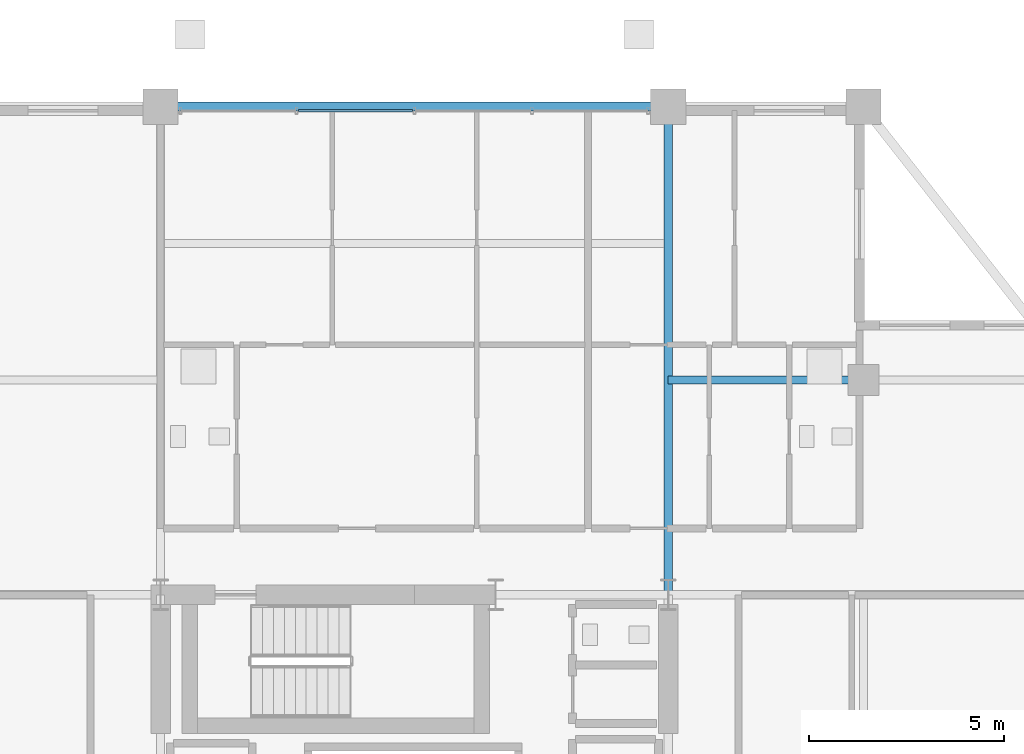
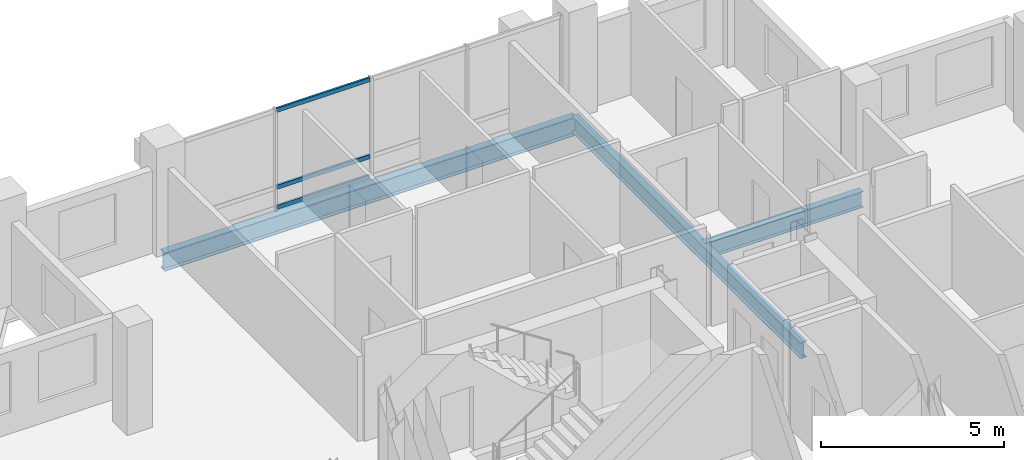
# One storey, part 13 of 21: 3 beams, 3 members, 1 element without a shape of its own.
"""IFC4 building model written with IfcOpenShell, lengths in metres."""

from ifc_helpers import new_model, si_unit, direction, frame, origin, origin_2d, place, context, subcontext, project, spatial, hollow_rectangle, i_section, extrude, material, layer, layer_set, material_profile, profile_set, type_object, element, aggregate, save


model = new_model("IFC4")

# Units and contexts
model_context = context("Model", 3, precision=1e-05, world=origin(), true_north=direction((0.0, 1.0)))
body_context = subcontext(model_context, "Body", "Model", "MODEL_VIEW")
ifc_project = project(units=[si_unit("LENGTHUNIT", "METRE"), si_unit("AREAUNIT", "SQUARE_METRE"), si_unit("VOLUMEUNIT", "CUBIC_METRE"), si_unit("PLANEANGLEUNIT", "RADIAN"), si_unit("MASSUNIT", "GRAM", prefix="KILO")], contexts=[model_context])

# Site, building, storey
site_placement = place(None, origin())
site = spatial("IfcSite", under=ifc_project, at=site_placement, CompositionType="ELEMENT")
building_placement = place(site_placement, origin())
building = spatial("IfcBuilding", under=site, at=building_placement, Name="Barlavira Tower and Art Museum", CompositionType="ELEMENT")
storey_placement = place(building_placement, frame((0.0, 0.0, 254.699951171875)))
storey = spatial("IfcBuildingStorey", under=building, at=storey_placement, Name="L66", CompositionType="ELEMENT", Elevation=254.699951171875)

# Curtain wall, members
ifc_material_1 = material(Name="Low-iron coastal laminated glass", Category="glass")
ifc_layer = layer(ifc_material_1, 0.2099609375, Name="Low-iron coastal laminated glass")
ifc_layer_set = layer_set([ifc_layer], Name="Low-iron coastal laminated glass")
curtain_wall_type = type_object("IfcCurtainWallType", Name="Pale-Metal Unitised Curtain Wall Zone 4", PredefinedType="NOTDEFINED", material=ifc_layer_set)
curtain_wall_placement = place(storey_placement, origin())
curtain_wall = element("IfcCurtainWall", 1, at=curtain_wall_placement, inside=storey, type_object=curtain_wall_type, Name="L66 Curtain Wall CW4-L66-N-B2", PredefinedType="NOTDEFINED")
ifc_material_2 = material(Name="Pale anodised aluminium", Category="aluminium")
ifc_material_profile_1 = material_profile(ifc_material_2, hollow_rectangle(XDim=0.06494140625, YDim=0.139892578125, WallThickness=0.00390625, at=origin_2d()), Name="ALU-TRAN 65x140x4")
ifc_profile_set_1 = profile_set([ifc_material_profile_1], Name="Pale anodised aluminium")
member_type = type_object("IfcMemberType", Name="Curtain Wall Pale-Metal Transom 65x140", PredefinedType="USERDEFINED", material=ifc_profile_set_1)
member_1_placement = place(storey_placement, frame((-0.044921875, 19.89990234375, 0.070068359375), z_axis=(-1.0, 0.0, 0.0), x_axis=(0.0, -1.0, 0.0)))
member_1 = element("IfcMember", 2, at=member_1_placement, type_object=member_type, Name="CW4-L66-N-B2 Transom 2.1", ObjectType="TRANSOM", PredefinedType="USERDEFINED", context=body_context, shape_type="SweptSolid", body=[
    extrude(hollow_rectangle(XDim=0.06494140625, YDim=0.139892578125, WallThickness=0.00390625, at=origin_2d()), origin(), (0.0, 0.0, 1.0), 2.925048828125),
])
member_2_placement = place(storey_placement, frame((-0.044921875, 19.89990234375, 0.744140625), z_axis=(-1.0, 0.0, 0.0), x_axis=(0.0, -1.0, 0.0)))
member_2 = element("IfcMember", 3, at=member_2_placement, type_object=member_type, Name="CW4-L66-N-B2 Transom 2.2", ObjectType="TRANSOM", PredefinedType="USERDEFINED", context=body_context, shape_type="SweptSolid", body=[
    extrude(hollow_rectangle(XDim=0.06494140625, YDim=0.139892578125, WallThickness=0.00390625, at=origin_2d()), origin(), (0.0, 0.0, 1.0), 2.925048828125),
])
member_3_placement = place(storey_placement, frame((-0.044921875, 19.89990234375, 3.31005859375), z_axis=(-1.0, 0.0, 0.0), x_axis=(0.0, -1.0, 0.0)))
member_3 = element("IfcMember", 4, at=member_3_placement, type_object=member_type, Name="CW4-L66-N-B2 Transom 2.3", ObjectType="TRANSOM", PredefinedType="USERDEFINED", context=body_context, shape_type="SweptSolid", body=[
    extrude(hollow_rectangle(XDim=0.06494140625, YDim=0.139892578125, WallThickness=0.00390625, at=origin_2d()), origin(), (0.0, 0.0, 1.0), 2.925048828125),
])
aggregate(curtain_wall, [member_1, member_2, member_3])

# Beams
ifc_material_3 = material(Name="Steel S355", Category="steel")
ifc_material_profile_2 = material_profile(ifc_material_3, i_section(OverallWidth=0.22998046875, OverallDepth=0.616943359375, WebThickness=0.01318359375, FlangeThickness=0.022216796875, at=origin_2d()), Name="W610x140.0")
ifc_profile_set_2 = profile_set([ifc_material_profile_2], Name="Steel S355")
beam_type_1 = type_object("IfcBeamType", Name="Upper Shaft Spandrel Edge Beam W610x140 Steel S355", PredefinedType="SPANDREL", material=ifc_profile_set_2)
beam_1_placement = place(storey_placement, frame((-6.5, 20.0, -0.528564453125), z_axis=(1.0, 0.0, 0.0), x_axis=(0.0, 1.0, 0.0)))
element("IfcBeam", 5, at=beam_1_placement, inside=storey, type_object=beam_type_1, Name="L66 Spandrel 10", PredefinedType="SPANDREL", context=body_context, shape_type="SweptSolid", body=[
    extrude(i_section(OverallWidth=0.22998046875, OverallDepth=0.616943359375, WebThickness=0.01318359375, FlangeThickness=0.022216796875, at=origin_2d()), origin(), (0.0, 0.0, 1.0), 13.0),
])
ifc_material_profile_3 = material_profile(ifc_material_3, i_section(OverallWidth=0.2109375, OverallDepth=0.5390625, WebThickness=0.01171875, FlangeThickness=0.018798828125, at=origin_2d()), Name="W530x109.0")
ifc_profile_set_3 = profile_set([ifc_material_profile_3], Name="Steel S355")
beam_type_2 = type_object("IfcBeamType", Name="Zone 3-4 Primary Floor Girder W530x109 Steel S355", PredefinedType="BEAM", material=ifc_profile_set_3)
beam_2_placement = place(storey_placement, frame((6.5, 7.5, -0.489501953125), z_axis=(0.0, 1.0, 0.0), x_axis=(-1.0, 0.0, 0.0)))
element("IfcBeam", 6, at=beam_2_placement, inside=storey, type_object=beam_type_2, Name="L66 Girder R-N2", PredefinedType="BEAM", context=body_context, shape_type="SweptSolid", body=[
    extrude(i_section(OverallWidth=0.2109375, OverallDepth=0.5390625, WebThickness=0.01171875, FlangeThickness=0.018798828125, at=origin_2d()), origin(), (0.0, 0.0, 1.0), 12.5),
])
beam_3_placement = place(storey_placement, frame((6.5, 13.0, -0.489501953125), z_axis=(1.0, 0.0, 0.0), x_axis=(0.0, 1.0, 0.0)))
element("IfcBeam", 7, at=beam_3_placement, inside=storey, type_object=beam_type_2, Name="L66 Girder I-N3", PredefinedType="BEAM", context=body_context, shape_type="SweptSolid", body=[
    extrude(i_section(OverallWidth=0.2109375, OverallDepth=0.5390625, WebThickness=0.01171875, FlangeThickness=0.018798828125, at=origin_2d()), origin(), (0.0, 0.0, 1.0), 5.0),
])

save(model, "model.ifc")
